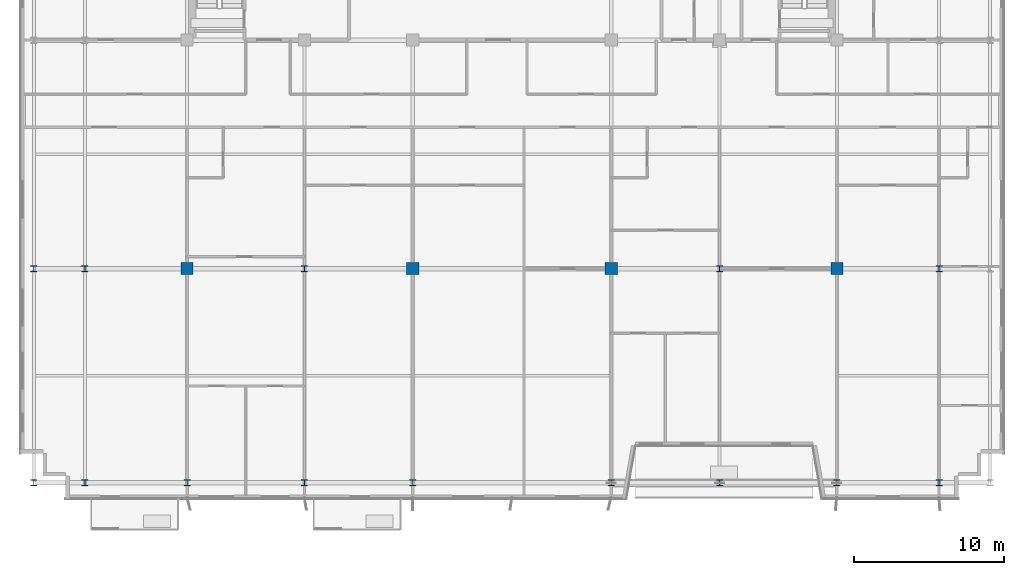
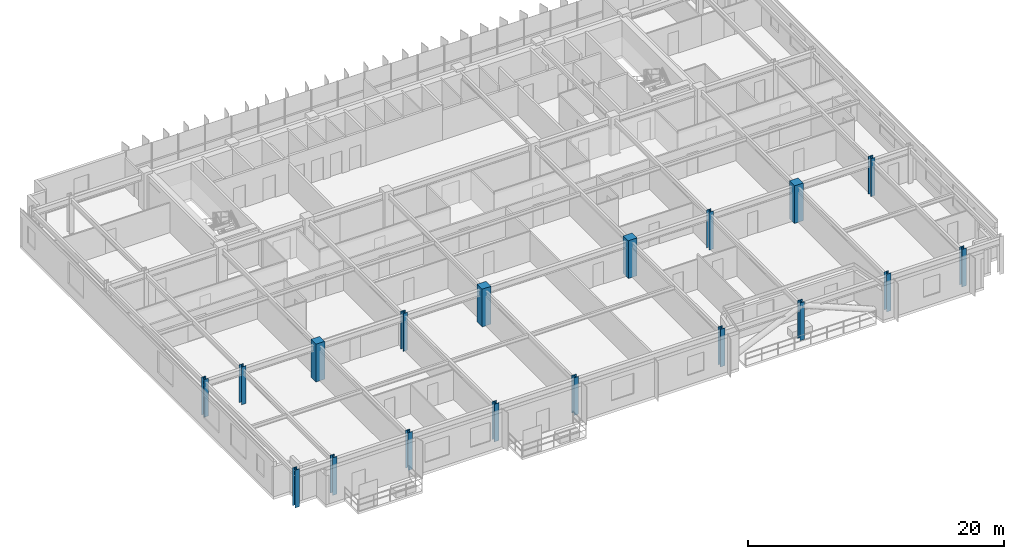
# One storey, part 1 of 22: 18 columns.
"""IFC4 building model written with IfcOpenShell, lengths in metres."""

from ifc_helpers import new_model, si_unit, direction, frame, origin, origin_2d, place, context, subcontext, project, spatial, rectangle, i_section, extrude, source, transform, mapped, material, material_profile, profile_set, type_object, element, save


model = new_model("IFC4")

# Units and contexts
model_context = context("Model", 3, precision=1e-05, world=origin(), true_north=direction((0.0, 1.0)))
body_context = subcontext(model_context, "Body", "Model", "MODEL_VIEW")
ifc_project = project(units=[si_unit("LENGTHUNIT", "METRE"), si_unit("AREAUNIT", "SQUARE_METRE"), si_unit("VOLUMEUNIT", "CUBIC_METRE"), si_unit("PLANEANGLEUNIT", "RADIAN"), si_unit("MASSUNIT", "GRAM", prefix="KILO")], contexts=[model_context])

# Site, building, storey
site_placement = place(None, origin())
site = spatial("IfcSite", under=ifc_project, at=site_placement, CompositionType="ELEMENT")
building_placement = place(site_placement, origin())
building = spatial("IfcBuilding", under=site, at=building_placement, Name="Trelvane Seafront Commons", CompositionType="ELEMENT")
storey_placement = place(building_placement, frame((0.0, 0.0, 121.300048828125)))
storey = spatial("IfcBuildingStorey", under=building, at=storey_placement, Name="L31", CompositionType="ELEMENT", Elevation=121.300048828125)

# Columns
ifc_material_1 = material(Name="Steel SM355 (S355)", Category="steel")
ifc_material_profile_1 = material_profile(ifc_material_1, i_section(OverallWidth=0.39990234375, OverallDepth=0.39990234375, WebThickness=0.02197265625, FlangeThickness=0.034912109375, at=origin_2d()), Name="HD-400x400x22x35")
ifc_profile_set_1 = profile_set([ifc_material_profile_1], Name="Steel SM355 (S355)")
column_type_1 = type_object("IfcColumnType", Name="STR-COL-HD400", PredefinedType="COLUMN", material=ifc_profile_set_1)
shared_shape_1 = source(origin(), body_context, "Body", "SweptSolid", [
    extrude(i_section(OverallWidth=0.39990234375, OverallDepth=0.39990234375, WebThickness=0.02197265625, FlangeThickness=0.034912109375, at=origin_2d()), origin(), (0.0, 0.0, 1.0), 3.599853515625),
])
for number, where, z_axis, x_axis, name in (
    (1, (5.39990234375, 3.949951171875, 0.0), (0.0, 0.0, 1.0), (1.0, 0.0, 0.0), "L31 Column TC-S5.4"),
    (2, (5.39990234375, 18.199951171875, 0.0), (0.0, 0.0, 1.0), (1.0, 0.0, 0.0), "L31 Column TC-M5.4"),
    (3, (8.800048828125, 3.949951171875, 0.0), (0.0, 0.0, 1.0), (1.0, 0.0, 0.0), "L31 Column TC-S8.8"),
    (4, (8.800048828125, 18.199951171875, 0.0), (0.0, 0.0, 1.0), (1.0, 0.0, 0.0), "L31 Column TC-M8.8"),
    (5, (15.60009765625, 3.949951171875, 0.0), (0.0, 0.0, 1.0), (1.0, 0.0, 0.0), "L31 Column TC-S15.6"),
    (6, (23.39990234375, 3.949951171875, 0.0), (0.0, 0.0, 1.0), (1.0, 0.0, 0.0), "L31 Column TC-S23.4"),
    (7, (23.39990234375, 18.199951171875, 0.0), (0.0, 0.0, 1.0), (1.0, 0.0, 0.0), "L31 Column TC-M23.4"),
    (8, (30.60009765625, 3.949951171875, 0.0), (0.0, 0.0, 1.0), (1.0, 0.0, 0.0), "L31 Column TC-S30.6"),
    (9, (43.800048828125, 3.949951171875, 0.0), (0.0, 0.0, 1.0), (1.0, 0.0, 0.0), "L31 Column TC-S43.8"),
    (10, (51.0, 3.949951171875, 0.0), (0.0, 0.0, 1.0), (1.0, 0.0, 0.0), "L31 Column TC-S51.0"),
    (11, (51.0, 18.199951171875, 0.0), (0.0, 0.0, 1.0), (1.0, 0.0, 0.0), "L31 Column TC-M51.0"),
    (12, (58.800048828125, 3.949951171875, 0.0), (0.0, 0.0, 1.0), (1.0, 0.0, 0.0), "L31 Column TC-S58.8"),
    (13, (65.60009765625, 3.949951171875, 0.0), (0.0, 0.0, 1.0), (1.0, 0.0, 0.0), "L31 Column TC-S65.6"),
    (14, (65.60009765625, 18.199951171875, 0.0), (0.0, 0.0, 1.0), (1.0, 0.0, 0.0), "L31 Column TC-M65.6"),
):
    element("IfcColumn", number, at=place(storey_placement, frame(where, z_axis=z_axis, x_axis=x_axis)), inside=storey, type_object=column_type_1, Name=name, PredefinedType="COLUMN", context=body_context, shape_type="MappedRepresentation", body=[
        mapped(shared_shape_1, transform((0.0, 0.0, 0.0), x_axis=(1.0, 0.0, 0.0), y_axis=(0.0, 1.0, 0.0), z_axis=(0.0, 0.0, 1.0), scale=1.0)),
    ])
ifc_material_2 = material(Name="Concrete C60/75", Category="concrete")
ifc_material_profile_2 = material_profile(ifc_material_2, rectangle(XDim=0.800048828125, YDim=0.800048828125, at=origin_2d()), Name="RC-800x800")
ifc_profile_set_2 = profile_set([ifc_material_profile_2], Name="Concrete C60/75")
column_type_2 = type_object("IfcColumnType", Name="STR-COL-RC800", PredefinedType="COLUMN", material=ifc_profile_set_2)
shared_shape_2 = source(origin(), body_context, "Body", "SweptSolid", [
    extrude(rectangle(XDim=0.800048828125, YDim=0.800048828125, at=origin_2d()), origin(), (0.0, 0.0, 1.0), 3.599853515625),
])
for number, where, z_axis, x_axis, name in (
    (15, (15.60009765625, 18.199951171875, 0.0), (0.0, 0.0, 1.0), (1.0, 0.0, 0.0), "L31 Column TC-M15.6"),
    (16, (30.60009765625, 18.199951171875, 0.0), (0.0, 0.0, 1.0), (1.0, 0.0, 0.0), "L31 Column TC-M30.6"),
    (17, (43.800048828125, 18.199951171875, 0.0), (0.0, 0.0, 1.0), (1.0, 0.0, 0.0), "L31 Column TC-M43.8"),
    (18, (58.800048828125, 18.199951171875, 0.0), (0.0, 0.0, 1.0), (1.0, 0.0, 0.0), "L31 Column TC-M58.8"),
):
    element("IfcColumn", number, at=place(storey_placement, frame(where, z_axis=z_axis, x_axis=x_axis)), inside=storey, type_object=column_type_2, Name=name, PredefinedType="COLUMN", context=body_context, shape_type="MappedRepresentation", body=[
        mapped(shared_shape_2, transform((0.0, 0.0, 0.0), x_axis=(1.0, 0.0, 0.0), y_axis=(0.0, 1.0, 0.0), z_axis=(0.0, 0.0, 1.0), scale=1.0)),
    ])

save(model, "model.ifc")
